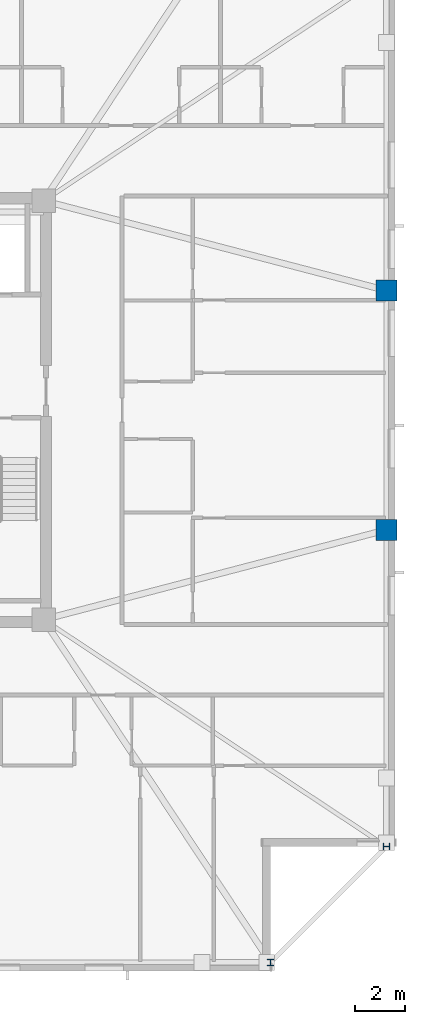
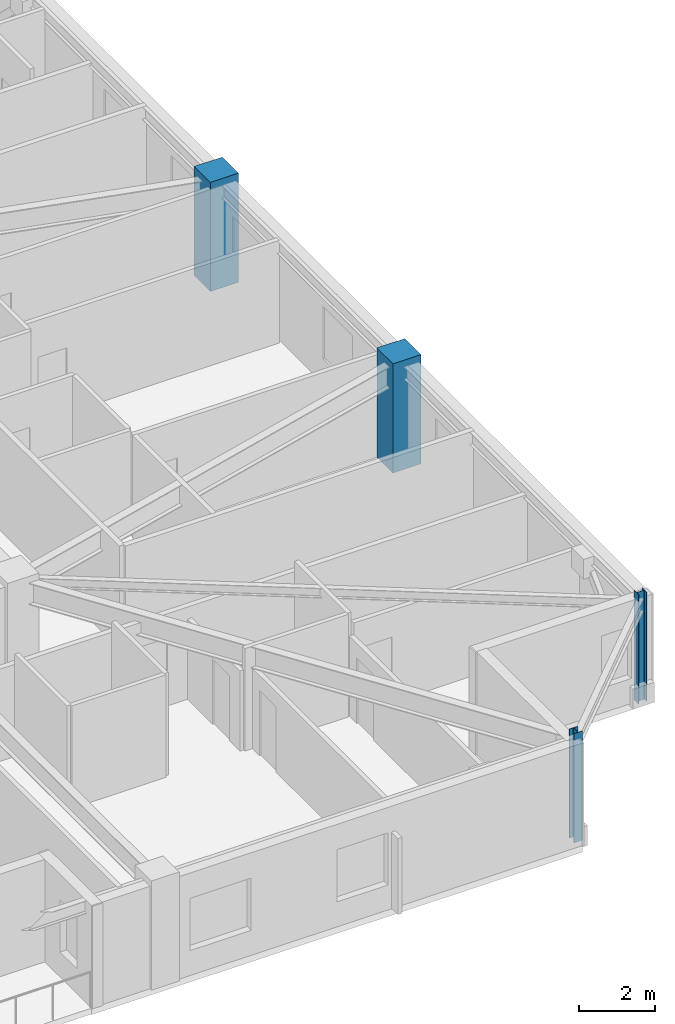
# One storey, part 3 of 17: 4 columns.
"""IFC4 building model written with IfcOpenShell, lengths in metres."""

from ifc_helpers import new_model, si_unit, direction, frame, origin, origin_2d, place, context, subcontext, project, spatial, rectangle, i_section, extrude, material, material_profile, profile_set, type_object, element, save


model = new_model("IFC4")

# Units and contexts
model_context = context("Model", 3, precision=1e-05, world=origin(), true_north=direction((0.0, 1.0)))
body_context = subcontext(model_context, "Body", "Model", "MODEL_VIEW")
ifc_project = project(units=[si_unit("LENGTHUNIT", "METRE"), si_unit("AREAUNIT", "SQUARE_METRE"), si_unit("VOLUMEUNIT", "CUBIC_METRE"), si_unit("PLANEANGLEUNIT", "RADIAN"), si_unit("MASSUNIT", "GRAM", prefix="KILO")], contexts=[model_context])

# Site, building, storey
site_placement = place(None, origin())
site = spatial("IfcSite", under=ifc_project, at=site_placement, CompositionType="ELEMENT")
building_placement = place(site_placement, origin())
building = spatial("IfcBuilding", under=site, at=building_placement, Name="Cairnveth Concourse Tower", CompositionType="ELEMENT")
storey_placement = place(building_placement, frame((0.0, 0.0, 269.0)))
storey = spatial("IfcBuildingStorey", under=building, at=storey_placement, Name="L74", CompositionType="ELEMENT", Elevation=269.0)

# Columns
ifc_material_1 = material(Name="Concrete N65 (65 MPa)", Category="concrete")
ifc_material_profile_1 = material_profile(ifc_material_1, rectangle(XDim=0.85009765625, YDim=0.85009765625, at=origin_2d()), Name="RC-COL-850x850")
ifc_profile_set_1 = profile_set([ifc_material_profile_1], Name="Concrete N65 (65 MPa)")
column_type_1 = type_object("IfcColumnType", Name="PERIMETER PIER COLUMN 850X850", PredefinedType="COLUMN", material=ifc_profile_set_1)
for number, where, z_axis, x_axis, name in (
    (1, (74.14990234375, 34.199951171875, 0.0), (0.0, 0.0, 1.0), (0.0, 1.0, 0.0), "Column P-E2 L74"),
    (2, (74.14990234375, 43.800048828125, 0.0), (0.0, 0.0, 1.0), (0.0, 1.0, 0.0), "Column P-E3 L74"),
):
    element("IfcColumn", number, at=place(storey_placement, frame(where, z_axis=z_axis, x_axis=x_axis)), inside=storey, type_object=column_type_1, Name=name, PredefinedType="COLUMN", context=body_context, shape_type="SweptSolid", body=[
        extrude(rectangle(XDim=0.85009765625, YDim=0.85009765625, at=origin_2d()), origin(), (0.0, 0.0, 1.0), 3.5),
    ])
ifc_material_2 = material(Name="Steel Grade 350", Category="steel")
ifc_material_profile_2 = material_profile(ifc_material_2, i_section(OverallWidth=0.256103515625, OverallDepth=0.260009765625, WebThickness=0.010498046875, FlangeThickness=0.017333984375, FilletRadius=0.012939453125, at=origin_2d()), Name="250UC89.5")
ifc_profile_set_2 = profile_set([ifc_material_profile_2], Name="Steel Grade 350")
column_type_2 = type_object("IfcColumnType", Name="UNIVERSAL STEEL COLUMN 250UC89.5", PredefinedType="COLUMN", material=ifc_profile_set_2)
for number, where, z_axis, x_axis, name in (
    (3, (69.5, 16.85009765625, 0.0), (0.0, 0.0, 1.0), (1.0, 0.0, 0.0), "Column P-S4 L74"),
    (4, (74.14990234375, 21.5, 0.0), (0.0, 0.0, 1.0), (0.0, 1.0, 0.0), "Column P-E1 L74"),
):
    element("IfcColumn", number, at=place(storey_placement, frame(where, z_axis=z_axis, x_axis=x_axis)), inside=storey, type_object=column_type_2, Name=name, PredefinedType="COLUMN", context=body_context, shape_type="SweptSolid", body=[
        extrude(i_section(OverallWidth=0.256103515625, OverallDepth=0.260009765625, WebThickness=0.010498046875, FlangeThickness=0.017333984375, FilletRadius=0.012939453125, at=origin_2d()), origin(), (0.0, 0.0, 1.0), 3.5),
    ])

save(model, "model.ifc")
